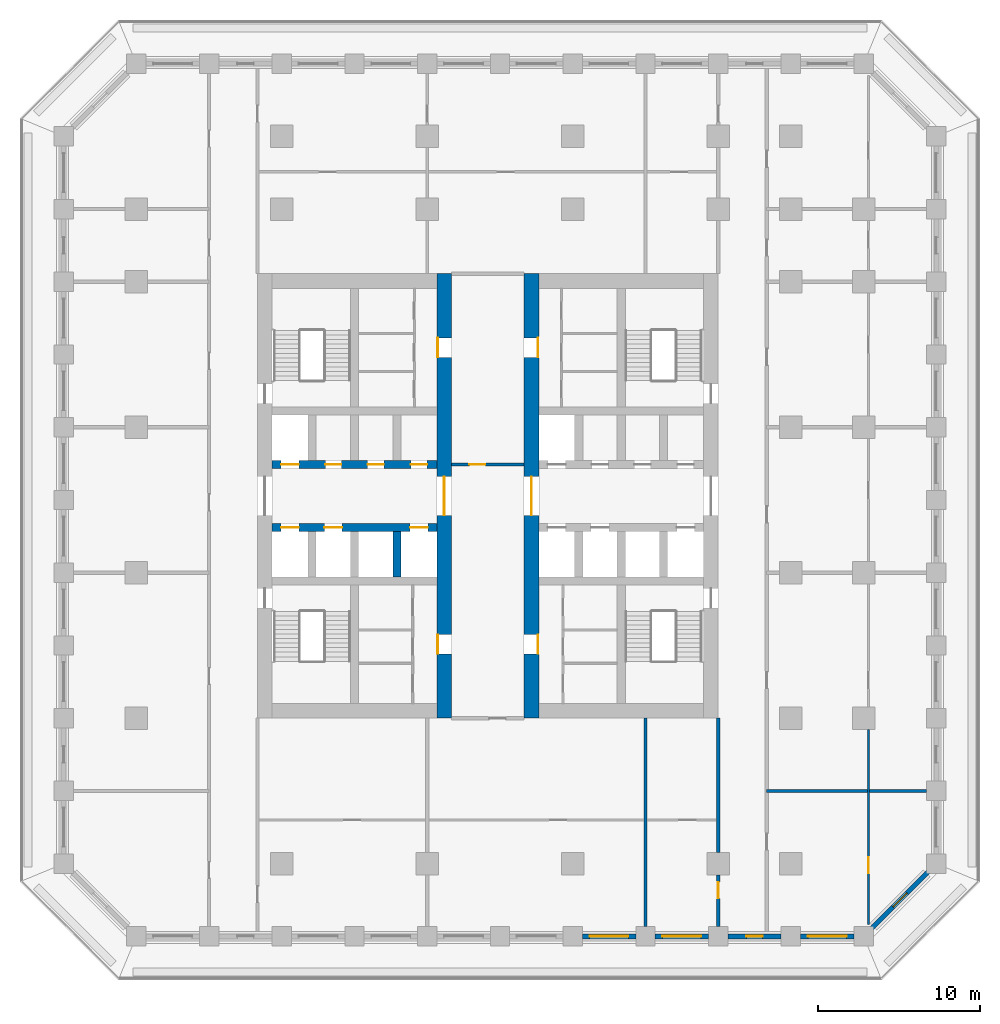
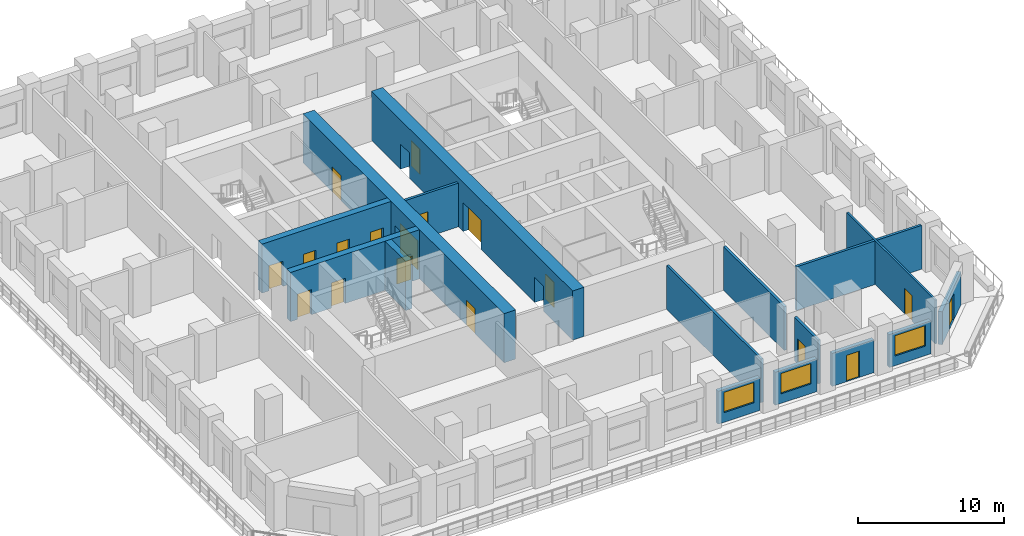
# One storey, part 4 of 17: 18 doors, 16 walls, 3 windows, 21 openings.
"""IFC4 building model written with IfcOpenShell, lengths in metres."""

from ifc_helpers import new_model, si_unit, direction, frame, frame_2d, origin, place, context, subcontext, project, spatial, rectangle, extrude, material, layer, layer_set, type_object, element, fill, save


model = new_model("IFC4")

# Units and contexts
model_context = context("Model", 3, precision=1e-05, world=origin(), true_north=direction((0.0, 1.0)))
body_context = subcontext(model_context, "Body", "Model", "MODEL_VIEW")
ifc_project = project(units=[si_unit("LENGTHUNIT", "METRE"), si_unit("AREAUNIT", "SQUARE_METRE"), si_unit("VOLUMEUNIT", "CUBIC_METRE"), si_unit("PLANEANGLEUNIT", "RADIAN"), si_unit("MASSUNIT", "GRAM", prefix="KILO")], contexts=[model_context])

# Site, building, storey
site_placement = place(None, origin())
site = spatial("IfcSite", under=ifc_project, at=site_placement, CompositionType="ELEMENT")
building_placement = place(site_placement, origin())
building = spatial("IfcBuilding", under=site, at=building_placement, Name="Corbel Stack Research Tower", CompositionType="ELEMENT")
storey_placement = place(building_placement, frame((0.0, 0.0, 86.10009765625)))
storey = spatial("IfcBuildingStorey", under=building, at=storey_placement, Name="L19", CompositionType="ELEMENT", Elevation=86.10009765625)

# Wall, openings, doors
ifc_material_1 = material(Name="Concrete C70/85", Category="concrete")
ifc_layer_1 = layer(ifc_material_1, 0.5)
ifc_layer_set_1 = layer_set([ifc_layer_1], Name="Concrete C70/85")
wall_type_1 = type_object("IfcWallType", Name="CW-500-70", PredefinedType="SHEAR", material=ifc_layer_set_1)
wall_1_placement = place(storey_placement, frame((-9.60009765625, 2.800048828125, 0.0), z_axis=(0.0, 0.0, 1.0), x_axis=(1.0, 0.0, 0.0)))
wall_1 = element("IfcWall", 1, at=wall_1_placement, inside=storey, type_object=wall_type_1, Name="West core wall, lobby south L19", PredefinedType="SHEAR", context=body_context, shape_type="SweptSolid", body=[
    extrude(rectangle(XDim=10.2001953125, YDim=0.5, at=frame_2d((5.10009765625, 0.0))), origin(), (0.0, 0.0, 1.0), 4.099853515625),
])
opening_1_placement = place(wall_1_placement, frame((0.5625, 0.0, 0.0)))
opening_1 = element("IfcOpeningElement", 2, at=opening_1_placement, cuts=wall_1, Name="Opening LD-FS1", PredefinedType="OPENING", context=body_context, shape_type="SweptSolid", body=[
    extrude(rectangle(XDim=1.10009765625, YDim=2.10009765625, at=frame_2d((0.550048828125, 1.050048828125))), frame((0.0, 0.260009765625, 0.0), z_axis=(0.0, -1.0, 0.0), x_axis=(1.0, 0.0, 0.0)), (0.0, 0.0, 1.0), 0.52001953125),
])
opening_2_placement = place(wall_1_placement, frame((3.237548828125, 0.0, 0.0)))
opening_2 = element("IfcOpeningElement", 3, at=opening_2_placement, cuts=wall_1, Name="Opening LD-GL1", PredefinedType="OPENING", context=body_context, shape_type="SweptSolid", body=[
    extrude(rectangle(XDim=1.10009765625, YDim=2.10009765625, at=frame_2d((0.550048828125, 1.050048828125))), frame((0.0, 0.260009765625, 0.0), z_axis=(0.0, -1.0, 0.0), x_axis=(1.0, 0.0, 0.0)), (0.0, 0.0, 1.0), 0.52001953125),
])
opening_3_placement = place(wall_1_placement, frame((8.53759765625, 0.0, 0.0)))
opening_3 = element("IfcOpeningElement", 4, at=opening_3_placement, cuts=wall_1, Name="Opening LD-LR1", PredefinedType="OPENING", context=body_context, shape_type="SweptSolid", body=[
    extrude(rectangle(XDim=1.10009765625, YDim=2.10009765625, at=frame_2d((0.550048828125, 1.050048828125))), frame((0.0, 0.260009765625, 0.0), z_axis=(0.0, -1.0, 0.0), x_axis=(1.0, 0.0, 0.0)), (0.0, 0.0, 1.0), 0.52001953125),
])
ifc_material_2 = material(Name="Stainless steel landing door", Category="steel")
door_type_1 = type_object("IfcDoorType", Name="Lift landing door 1100 x 2100", OperationType="DOUBLE_DOOR_SLIDING", PredefinedType="DOOR", material=ifc_material_2)
door_1_placement = place(opening_1_placement, origin())
door_1 = element("IfcDoor", 5, at=door_1_placement, inside=storey, type_object=door_type_1, Name="Landing door FS1", OperationType="DOUBLE_DOOR_SLIDING", OverallHeight=2.10009765625, OverallWidth=1.10009765625, PredefinedType="DOOR", context=body_context, shape_type="SweptSolid", body=[
    extrude(rectangle(XDim=1.10009765625, YDim=2.10009765625, at=frame_2d((0.550048828125, 1.050048828125))), frame((0.0, 0.02490234375, 0.0), z_axis=(0.0, -1.0, 0.0), x_axis=(1.0, 0.0, 0.0)), (0.0, 0.0, 1.0), 0.050048828125),
])
fill(opening_1, door_1)
door_2_placement = place(opening_2_placement, origin())
door_2 = element("IfcDoor", 6, at=door_2_placement, inside=storey, type_object=door_type_1, Name="Landing door GL1", OperationType="DOUBLE_DOOR_SLIDING", OverallHeight=2.10009765625, OverallWidth=1.10009765625, PredefinedType="DOOR", context=body_context, shape_type="SweptSolid", body=[
    extrude(rectangle(XDim=1.10009765625, YDim=2.10009765625, at=frame_2d((0.550048828125, 1.050048828125))), frame((0.0, 0.02490234375, 0.0), z_axis=(0.0, -1.0, 0.0), x_axis=(1.0, 0.0, 0.0)), (0.0, 0.0, 1.0), 0.050048828125),
])
fill(opening_2, door_2)
door_3_placement = place(opening_3_placement, origin())
door_3 = element("IfcDoor", 7, at=door_3_placement, inside=storey, type_object=door_type_1, Name="Landing door LR1", OperationType="DOUBLE_DOOR_SLIDING", OverallHeight=2.10009765625, OverallWidth=1.10009765625, PredefinedType="DOOR", context=body_context, shape_type="SweptSolid", body=[
    extrude(rectangle(XDim=1.10009765625, YDim=2.10009765625, at=frame_2d((0.550048828125, 1.050048828125))), frame((0.0, 0.02490234375, 0.0), z_axis=(0.0, -1.0, 0.0), x_axis=(1.0, 0.0, 0.0)), (0.0, 0.0, 1.0), 0.050048828125),
])
fill(opening_3, door_3)

wall_2_placement = place(storey_placement, frame((-9.60009765625, 6.699951171875, 0.0), z_axis=(0.0, 0.0, 1.0), x_axis=(1.0, 0.0, 0.0)))
wall_2 = element("IfcWall", 8, at=wall_2_placement, inside=storey, type_object=wall_type_1, Name="West core wall, lobby north L19", PredefinedType="SHEAR", context=body_context, shape_type="SweptSolid", body=[
    extrude(rectangle(XDim=10.2001953125, YDim=0.5, at=frame_2d((5.10009765625, 0.0))), origin(), (0.0, 0.0, 1.0), 4.099853515625),
])
opening_4_placement = place(wall_2_placement, frame((0.5625, 0.0, 0.0)))
opening_4 = element("IfcOpeningElement", 9, at=opening_4_placement, cuts=wall_2, Name="Opening LD-LR2", PredefinedType="OPENING", context=body_context, shape_type="SweptSolid", body=[
    extrude(rectangle(XDim=1.10009765625, YDim=2.10009765625, at=frame_2d((0.550048828125, 1.050048828125))), frame((0.0, 0.260009765625, 0.0), z_axis=(0.0, -1.0, 0.0), x_axis=(1.0, 0.0, 0.0)), (0.0, 0.0, 1.0), 0.52001953125),
])
opening_5_placement = place(wall_2_placement, frame((3.28759765625, 0.0, 0.0)))
opening_5 = element("IfcOpeningElement", 10, at=opening_5_placement, cuts=wall_2, Name="Opening CR-W12-N2", PredefinedType="OPENING", context=body_context, shape_type="SweptSolid", body=[
    extrude(rectangle(XDim=1.0, YDim=2.10009765625, at=frame_2d((0.5, 1.050048828125))), frame((0.0, 0.260009765625, 0.0), z_axis=(0.0, -1.0, 0.0), x_axis=(1.0, 0.0, 0.0)), (0.0, 0.0, 1.0), 0.52001953125),
])
opening_6_placement = place(wall_2_placement, frame((5.91259765625, 0.0, 0.0)))
opening_6 = element("IfcOpeningElement", 11, at=opening_6_placement, cuts=wall_2, Name="Opening CR-W12-N3", PredefinedType="OPENING", context=body_context, shape_type="SweptSolid", body=[
    extrude(rectangle(XDim=1.0, YDim=2.10009765625, at=frame_2d((0.5, 1.050048828125))), frame((0.0, 0.260009765625, 0.0), z_axis=(0.0, -1.0, 0.0), x_axis=(1.0, 0.0, 0.0)), (0.0, 0.0, 1.0), 0.52001953125),
])
opening_7_placement = place(wall_2_placement, frame((8.58740234375, 0.0, 0.0)))
opening_7 = element("IfcOpeningElement", 12, at=opening_7_placement, cuts=wall_2, Name="Opening CR-W12-N4", PredefinedType="OPENING", context=body_context, shape_type="SweptSolid", body=[
    extrude(rectangle(XDim=1.0, YDim=2.10009765625, at=frame_2d((0.5, 1.050048828125))), frame((0.0, 0.260009765625, 0.0), z_axis=(0.0, -1.0, 0.0), x_axis=(1.0, 0.0, 0.0)), (0.0, 0.0, 1.0), 0.52001953125),
])
door_4_placement = place(opening_4_placement, origin())
door_4 = element("IfcDoor", 13, at=door_4_placement, inside=storey, type_object=door_type_1, Name="Landing door LR2", OperationType="DOUBLE_DOOR_SLIDING", OverallHeight=2.10009765625, OverallWidth=1.10009765625, PredefinedType="DOOR", context=body_context, shape_type="SweptSolid", body=[
    extrude(rectangle(XDim=1.10009765625, YDim=2.10009765625, at=frame_2d((0.550048828125, 1.050048828125))), frame((0.0, 0.02490234375, 0.0), z_axis=(0.0, -1.0, 0.0), x_axis=(1.0, 0.0, 0.0)), (0.0, 0.0, 1.0), 0.050048828125),
])
fill(opening_4, door_4)
ifc_material_3 = material(Name="Painted steel door", Category="steel")
door_type_2 = type_object("IfcDoorType", Name="Service door 1000 x 2100 FD60 left hand", OperationType="SINGLE_SWING_LEFT", PredefinedType="DOOR", material=ifc_material_3)
door_5_placement = place(opening_6_placement, origin())
door_5 = element("IfcDoor", 14, at=door_5_placement, inside=storey, type_object=door_type_2, Name="Records store door W core", OperationType="SINGLE_SWING_LEFT", OverallHeight=2.10009765625, OverallWidth=1.0, PredefinedType="DOOR", context=body_context, shape_type="SweptSolid", body=[
    extrude(rectangle(XDim=1.0, YDim=2.10009765625, at=frame_2d((0.5, 1.050048828125))), frame((0.0, 0.02490234375, 0.0), z_axis=(0.0, -1.0, 0.0), x_axis=(1.0, 0.0, 0.0)), (0.0, 0.0, 1.0), 0.050048828125),
])
fill(opening_6, door_5)
ifc_material_4 = material(Name="Painted steel door", Category="steel")
door_type_3 = type_object("IfcDoorType", Name="Service door 1000 x 2100 FD60 right hand", OperationType="SINGLE_SWING_RIGHT", PredefinedType="DOOR", material=ifc_material_4)
door_6_placement = place(opening_5_placement, origin())
door_6 = element("IfcDoor", 15, at=door_6_placement, inside=storey, type_object=door_type_3, Name="Copy and supply store door W core", OperationType="SINGLE_SWING_RIGHT", OverallHeight=2.10009765625, OverallWidth=1.0, PredefinedType="DOOR", context=body_context, shape_type="SweptSolid", body=[
    extrude(rectangle(XDim=1.0, YDim=2.10009765625, at=frame_2d((0.5, 1.050048828125))), frame((0.0, 0.02490234375, 0.0), z_axis=(0.0, -1.0, 0.0), x_axis=(1.0, 0.0, 0.0)), (0.0, 0.0, 1.0), 0.050048828125),
])
fill(opening_5, door_6)
door_7_placement = place(opening_7_placement, origin())
door_7 = element("IfcDoor", 16, at=door_7_placement, inside=storey, type_object=door_type_3, Name="Electrical room door W core", OperationType="SINGLE_SWING_RIGHT", OverallHeight=2.10009765625, OverallWidth=1.0, PredefinedType="DOOR", context=body_context, shape_type="SweptSolid", body=[
    extrude(rectangle(XDim=1.0, YDim=2.10009765625, at=frame_2d((0.5, 1.050048828125))), frame((0.0, 0.02490234375, 0.0), z_axis=(0.0, -1.0, 0.0), x_axis=(1.0, 0.0, 0.0)), (0.0, 0.0, 1.0), 0.050048828125),
])
fill(opening_7, door_7)

# Wall
wall_3_placement = place(storey_placement, frame((-1.875, -0.25, 0.0), z_axis=(0.0, 0.0, 1.0), x_axis=(0.0, 1.0, 0.0)))
element("IfcWall", 17, at=wall_3_placement, inside=storey, type_object=wall_type_1, Name="West core wall, south shaft 3 L19", PredefinedType="SHEAR", context=body_context, shape_type="SweptSolid", body=[
    extrude(rectangle(XDim=2.800048828125, YDim=0.5, at=frame_2d((1.39990234375, 0.0))), origin(), (0.0, 0.0, 1.0), 4.099853515625),
])

# Wall, openings, doors
ifc_material_5 = material(Name="Concrete C70/85", Category="concrete")
ifc_layer_2 = layer(ifc_material_5, 0.89990234375)
ifc_layer_set_2 = layer_set([ifc_layer_2], Name="Concrete C70/85")
wall_type_2 = type_object("IfcWallType", Name="CW-900-70", PredefinedType="SHEAR", material=ifc_layer_set_2)
wall_4_placement = place(storey_placement, frame((1.050048828125, -9.0, 0.0), z_axis=(0.0, 0.0, 1.0), x_axis=(0.0, 1.0, 0.0)))
wall_4 = element("IfcWall", 18, at=wall_4_placement, inside=storey, type_object=wall_type_2, Name="West core wall, east face L19", PredefinedType="SHEAR", context=body_context, shape_type="SweptSolid", body=[
    extrude(rectangle(XDim=27.5, YDim=0.89990234375, at=frame_2d((13.75, 0.0))), origin(), (0.0, 0.0, 1.0), 4.099853515625),
])
opening_8_placement = place(wall_4_placement, frame((12.550048828125, 0.0, 0.0)))
opening_8 = element("IfcOpeningElement", 19, at=opening_8_placement, cuts=wall_4, Name="Opening CD-W-E", PredefinedType="OPENING", context=body_context, shape_type="SweptSolid", body=[
    extrude(rectangle(XDim=2.39990234375, YDim=2.39990234375, at=frame_2d((1.199951171875, 1.199951171875))), frame((0.0, 0.4599609375, 0.0), z_axis=(0.0, -1.0, 0.0), x_axis=(1.0, 0.0, 0.0)), (0.0, 0.0, 1.0), 0.919921875),
])
opening_9_placement = place(wall_4_placement, frame((3.97509765625, 0.0, 0.0)))
opening_9 = element("IfcOpeningElement", 20, at=opening_9_placement, cuts=wall_4, Name="Opening CR-W12-W1-1200", PredefinedType="OPENING", context=body_context, shape_type="SweptSolid", body=[
    extrude(rectangle(XDim=1.199951171875, YDim=2.10009765625, at=frame_2d((0.60009765625, 1.050048828125))), frame((0.0, 0.4599609375, 0.0), z_axis=(0.0, -1.0, 0.0), x_axis=(1.0, 0.0, 0.0)), (0.0, 0.0, 1.0), 0.919921875),
])
opening_10_placement = place(wall_4_placement, frame((22.324951171875, 0.0, 0.0)))
opening_10 = element("IfcOpeningElement", 21, at=opening_10_placement, cuts=wall_4, Name="Opening CR-W12-R1-1200", PredefinedType="OPENING", context=body_context, shape_type="SweptSolid", body=[
    extrude(rectangle(XDim=1.199951171875, YDim=2.10009765625, at=frame_2d((0.60009765625, 1.050048828125))), frame((0.0, 0.4599609375, 0.0), z_axis=(0.0, -1.0, 0.0), x_axis=(1.0, 0.0, 0.0)), (0.0, 0.0, 1.0), 0.919921875),
])
ifc_material_6 = material(Name="Painted steel fire door", Category="steel")
door_type_4 = type_object("IfcDoorType", Name="Lobby door pair 2400 x 2400 FD30S", OperationType="DOUBLE_DOOR_DOUBLE_SWING", PredefinedType="DOOR", material=ifc_material_6)
door_8_placement = place(opening_8_placement, origin())
door_8 = element("IfcDoor", 22, at=door_8_placement, inside=storey, type_object=door_type_4, Name="Lift lobby door W core E", OperationType="DOUBLE_DOOR_DOUBLE_SWING", OverallHeight=2.39990234375, OverallWidth=2.39990234375, PredefinedType="DOOR", context=body_context, shape_type="SweptSolid", body=[
    extrude(rectangle(XDim=2.39990234375, YDim=2.39990234375, at=frame_2d((1.199951171875, 1.199951171875))), frame((0.0, 0.02490234375, 0.0), z_axis=(0.0, -1.0, 0.0), x_axis=(1.0, 0.0, 0.0)), (0.0, 0.0, 1.0), 0.050048828125),
])
fill(opening_8, door_8)
ifc_material_7 = material(Name="Painted steel door", Category="steel")
door_type_5 = type_object("IfcDoorType", Name="Service door 1200 x 2100 FD30 left hand", OperationType="SINGLE_SWING_LEFT", PredefinedType="DOOR", material=ifc_material_7)
door_9_placement = place(opening_10_placement, origin())
door_9 = element("IfcDoor", 23, at=door_9_placement, inside=storey, type_object=door_type_5, Name="Service passage door W core", OperationType="SINGLE_SWING_LEFT", OverallHeight=2.10009765625, OverallWidth=1.199951171875, PredefinedType="DOOR", context=body_context, shape_type="SweptSolid", body=[
    extrude(rectangle(XDim=1.199951171875, YDim=2.10009765625, at=frame_2d((0.60009765625, 1.050048828125))), frame((0.0, 0.4248046875, 0.0), z_axis=(0.0, -1.0, 0.0), x_axis=(1.0, 0.0, 0.0)), (0.0, 0.0, 1.0), 0.050048828125),
])
fill(opening_10, door_9)
ifc_material_8 = material(Name="Painted timber door", Category="wood")
door_type_6 = type_object("IfcDoorType", Name="WC door 1200 x 2100 left hand", OperationType="SINGLE_SWING_LEFT", PredefinedType="DOOR", material=ifc_material_8)
door_10_placement = place(opening_9_placement, origin())
door_10 = element("IfcDoor", 24, at=door_10_placement, inside=storey, type_object=door_type_6, Name="WC lobby door W core", OperationType="SINGLE_SWING_LEFT", OverallHeight=2.10009765625, OverallWidth=1.199951171875, PredefinedType="DOOR", context=body_context, shape_type="SweptSolid", body=[
    extrude(rectangle(XDim=1.199951171875, YDim=2.10009765625, at=frame_2d((0.60009765625, 1.050048828125))), frame((0.0, 0.4248046875, 0.0), z_axis=(0.0, -1.0, 0.0), x_axis=(1.0, 0.0, 0.0)), (0.0, 0.0, 1.0), 0.050048828125),
])
fill(opening_9, door_10)

wall_5_placement = place(storey_placement, frame((6.449951171875, -9.0, 0.0), z_axis=(0.0, 0.0, 1.0), x_axis=(0.0, 1.0, 0.0)))
wall_5 = element("IfcWall", 25, at=wall_5_placement, inside=storey, type_object=wall_type_2, Name="East core wall, west face L19", PredefinedType="SHEAR", context=body_context, shape_type="SweptSolid", body=[
    extrude(rectangle(XDim=27.5, YDim=0.89990234375, at=frame_2d((13.75, 0.0))), origin(), (0.0, 0.0, 1.0), 4.099853515625),
])
opening_11_placement = place(wall_5_placement, frame((12.550048828125, 0.0, 0.0)))
opening_11 = element("IfcOpeningElement", 26, at=opening_11_placement, cuts=wall_5, Name="Opening CD-E-W", PredefinedType="OPENING", context=body_context, shape_type="SweptSolid", body=[
    extrude(rectangle(XDim=2.39990234375, YDim=2.39990234375, at=frame_2d((1.199951171875, 1.199951171875))), frame((0.0, 0.4599609375, 0.0), z_axis=(0.0, -1.0, 0.0), x_axis=(1.0, 0.0, 0.0)), (0.0, 0.0, 1.0), 0.919921875),
])
opening_12_placement = place(wall_5_placement, frame((3.97509765625, 0.0, 0.0)))
opening_12 = element("IfcOpeningElement", 27, at=opening_12_placement, cuts=wall_5, Name="Opening CR-E12-W1-1200", PredefinedType="OPENING", context=body_context, shape_type="SweptSolid", body=[
    extrude(rectangle(XDim=1.199951171875, YDim=2.10009765625, at=frame_2d((0.60009765625, 1.050048828125))), frame((0.0, 0.4599609375, 0.0), z_axis=(0.0, -1.0, 0.0), x_axis=(1.0, 0.0, 0.0)), (0.0, 0.0, 1.0), 0.919921875),
])
opening_13_placement = place(wall_5_placement, frame((22.324951171875, 0.0, 0.0)))
opening_13 = element("IfcOpeningElement", 28, at=opening_13_placement, cuts=wall_5, Name="Opening CR-E12-R1-1200", PredefinedType="OPENING", context=body_context, shape_type="SweptSolid", body=[
    extrude(rectangle(XDim=1.199951171875, YDim=2.10009765625, at=frame_2d((0.60009765625, 1.050048828125))), frame((0.0, 0.4599609375, 0.0), z_axis=(0.0, -1.0, 0.0), x_axis=(1.0, 0.0, 0.0)), (0.0, 0.0, 1.0), 0.919921875),
])
door_11_placement = place(opening_11_placement, origin())
door_11 = element("IfcDoor", 29, at=door_11_placement, inside=storey, type_object=door_type_4, Name="Lift lobby door E core W", OperationType="DOUBLE_DOOR_DOUBLE_SWING", OverallHeight=2.39990234375, OverallWidth=2.39990234375, PredefinedType="DOOR", context=body_context, shape_type="SweptSolid", body=[
    extrude(rectangle(XDim=2.39990234375, YDim=2.39990234375, at=frame_2d((1.199951171875, 1.199951171875))), frame((0.0, 0.02490234375, 0.0), z_axis=(0.0, -1.0, 0.0), x_axis=(1.0, 0.0, 0.0)), (0.0, 0.0, 1.0), 0.050048828125),
])
fill(opening_11, door_11)
ifc_material_9 = material(Name="Painted steel door", Category="steel")
door_type_7 = type_object("IfcDoorType", Name="Service door 1200 x 2100 FD30 right hand", OperationType="SINGLE_SWING_RIGHT", PredefinedType="DOOR", material=ifc_material_9)
door_12_placement = place(opening_13_placement, origin())
door_12 = element("IfcDoor", 30, at=door_12_placement, inside=storey, type_object=door_type_7, Name="Service passage door E core", OperationType="SINGLE_SWING_RIGHT", OverallHeight=2.10009765625, OverallWidth=1.199951171875, PredefinedType="DOOR", context=body_context, shape_type="SweptSolid", body=[
    extrude(rectangle(XDim=1.199951171875, YDim=2.10009765625, at=frame_2d((0.60009765625, 1.050048828125))), frame((0.0, -0.375, 0.0), z_axis=(0.0, -1.0, 0.0), x_axis=(1.0, 0.0, 0.0)), (0.0, 0.0, 1.0), 0.050048828125),
])
fill(opening_13, door_12)
ifc_material_10 = material(Name="Painted timber door", Category="wood")
door_type_8 = type_object("IfcDoorType", Name="WC door 1200 x 2100 right hand", OperationType="SINGLE_SWING_RIGHT", PredefinedType="DOOR", material=ifc_material_10)
door_13_placement = place(opening_12_placement, origin())
door_13 = element("IfcDoor", 31, at=door_13_placement, inside=storey, type_object=door_type_8, Name="WC lobby door E core", OperationType="SINGLE_SWING_RIGHT", OverallHeight=2.10009765625, OverallWidth=1.199951171875, PredefinedType="DOOR", context=body_context, shape_type="SweptSolid", body=[
    extrude(rectangle(XDim=1.199951171875, YDim=2.10009765625, at=frame_2d((0.60009765625, 1.050048828125))), frame((0.0, -0.375, 0.0), z_axis=(0.0, -1.0, 0.0), x_axis=(1.0, 0.0, 0.0)), (0.0, 0.0, 1.0), 0.050048828125),
])
fill(opening_12, door_13)

# Wall
ifc_material_11 = material(Name="Fire-rated gypsum board partition on steel studs", Category="steel")
ifc_layer_3 = layer(ifc_material_11, 0.199951171875)
ifc_layer_set_3 = layer_set([ifc_layer_3], Name="Fire-rated gypsum board partition on steel studs")
wall_type_3 = type_object("IfcWallType", Name="Fire-rated partition 200 EI 60", PredefinedType="PARTITIONING", material=ifc_layer_set_3)
wall_6_placement = place(storey_placement, frame((13.5, -21.89990234375, 0.0), z_axis=(0.0, 0.0, 1.0), x_axis=(0.0, 1.0, 0.0)))
element("IfcWall", 32, at=wall_6_placement, inside=storey, type_object=wall_type_3, Name="Partition L19-009", PredefinedType="PARTITIONING", context=body_context, shape_type="SweptSolid", body=[
    extrude(rectangle(XDim=12.89990234375, YDim=0.199951171875, at=frame_2d((6.449951171875, 0.0))), origin(), (0.0, 0.0, 1.0), 3.64990234375),
])

# Wall, opening, door
wall_7_placement = place(storey_placement, frame((18.0, -21.89990234375, 0.0), z_axis=(0.0, 0.0, 1.0), x_axis=(0.0, 1.0, 0.0)))
wall_7 = element("IfcWall", 33, at=wall_7_placement, inside=storey, type_object=wall_type_3, Name="Partition L19-011", PredefinedType="PARTITIONING", context=body_context, shape_type="SweptSolid", body=[
    extrude(rectangle(XDim=3.199951171875, YDim=0.199951171875, at=frame_2d((1.60009765625, 0.0))), origin(), (0.0, 0.0, 1.0), 3.64990234375),
])
opening_14_placement = place(wall_7_placement, frame((1.75, 0.0, 0.0)))
opening_14 = element("IfcOpeningElement", 34, at=opening_14_placement, cuts=wall_7, Name="Opening B3V1-015", PredefinedType="OPENING", context=body_context, shape_type="SweptSolid", body=[
    extrude(rectangle(XDim=1.0, YDim=2.10009765625, at=frame_2d((0.5, 1.050048828125))), frame((0.0, 0.10986328125, 0.0), z_axis=(0.0, -1.0, 0.0), x_axis=(1.0, 0.0, 0.0)), (0.0, 0.0, 1.0), 0.219970703125),
])
ifc_material_12 = material(Name="Painted steel fire door", Category="steel")
door_type_9 = type_object("IfcDoorType", Name="Fire door FD30S 1000 x 2100", OperationType="NOTDEFINED", PredefinedType="DOOR", material=ifc_material_12)
door_14_placement = place(opening_14_placement, origin())
door_14 = element("IfcDoor", 35, at=door_14_placement, inside=storey, type_object=door_type_9, Name="Door B3V1-015", OperationType="SINGLE_SWING_RIGHT", OverallHeight=2.10009765625, OverallWidth=1.0, PredefinedType="DOOR", context=body_context, shape_type="SweptSolid", body=[
    extrude(rectangle(XDim=1.0, YDim=2.10009765625, at=frame_2d((0.5, 1.050048828125))), frame((0.0, 0.02490234375, 0.0), z_axis=(0.0, -1.0, 0.0), x_axis=(1.0, 0.0, 0.0)), (0.0, 0.0, 1.0), 0.050048828125),
])
fill(opening_14, door_14)

# Walls
wall_8_placement = place(storey_placement, frame((18.0, -17.300048828125, 0.0), z_axis=(0.0, 0.0, 1.0), x_axis=(0.0, 1.0, 0.0)))
element("IfcWall", 36, at=wall_8_placement, inside=storey, type_object=wall_type_3, Name="Partition L19-012", PredefinedType="PARTITIONING", context=body_context, shape_type="SweptSolid", body=[
    extrude(rectangle(XDim=8.300048828125, YDim=0.199951171875, at=frame_2d((4.14990234375, 0.0))), origin(), (0.0, 0.0, 1.0), 3.64990234375),
])
wall_9_placement = place(storey_placement, frame((21.0, -13.5, 0.0), z_axis=(0.0, 0.0, 1.0), x_axis=(1.0, 0.0, 0.0)))
element("IfcWall", 37, at=wall_9_placement, inside=storey, type_object=wall_type_3, Name="Partition L19-025", PredefinedType="PARTITIONING", context=body_context, shape_type="SweptSolid", body=[
    extrude(rectangle(XDim=9.89990234375, YDim=0.199951171875, at=frame_2d((4.949951171875, 0.0))), origin(), (0.0, 0.0, 1.0), 3.64990234375),
])

# Wall, opening, door
wall_10_placement = place(storey_placement, frame((1.5, 6.699951171875, 0.0), z_axis=(0.0, 0.0, 1.0), x_axis=(1.0, 0.0, 0.0)))
wall_10 = element("IfcWall", 38, at=wall_10_placement, inside=storey, type_object=wall_type_3, Name="Partition L19-032", PredefinedType="PARTITIONING", context=body_context, shape_type="SweptSolid", body=[
    extrude(rectangle(XDim=4.5, YDim=0.199951171875, at=frame_2d((2.25, 0.0))), origin(), (0.0, 0.0, 1.0), 3.64990234375),
])
opening_15_placement = place(wall_10_placement, frame((1.10009765625, 0.0, 0.0)))
opening_15 = element("IfcOpeningElement", 39, at=opening_15_placement, cuts=wall_10, Name="Opening B3V1-014", PredefinedType="OPENING", context=body_context, shape_type="SweptSolid", body=[
    extrude(rectangle(XDim=1.0, YDim=2.10009765625, at=frame_2d((0.5, 1.050048828125))), frame((0.0, 0.10986328125, 0.0), z_axis=(0.0, -1.0, 0.0), x_axis=(1.0, 0.0, 0.0)), (0.0, 0.0, 1.0), 0.219970703125),
])
door_15_placement = place(opening_15_placement, origin())
door_15 = element("IfcDoor", 40, at=door_15_placement, inside=storey, type_object=door_type_9, Name="Door B3V1-014", OperationType="SINGLE_SWING_LEFT", OverallHeight=2.10009765625, OverallWidth=1.0, PredefinedType="DOOR", context=body_context, shape_type="SweptSolid", body=[
    extrude(rectangle(XDim=1.0, YDim=2.10009765625, at=frame_2d((0.5, 1.050048828125))), frame((0.0, 0.02490234375, 0.0), z_axis=(0.0, -1.0, 0.0), x_axis=(1.0, 0.0, 0.0)), (0.0, 0.0, 1.0), 0.050048828125),
])
fill(opening_15, door_15)

ifc_material_13 = material(Name="Gypsum board partition on steel studs", Category="steel")
ifc_layer_4 = layer(ifc_material_13, 0.14990234375)
ifc_layer_set_4 = layer_set([ifc_layer_4], Name="Gypsum board partition on steel studs")
wall_type_4 = type_object("IfcWallType", Name="Partition 150", PredefinedType="PARTITIONING", material=ifc_layer_set_4)
wall_11_placement = place(storey_placement, frame((27.300048828125, -9.699951171875, 0.0), z_axis=(0.0, 0.0, 1.0), x_axis=(0.0, -1.0, 0.0)))
wall_11 = element("IfcWall", 41, at=wall_11_placement, inside=storey, type_object=wall_type_4, Name="Partition L19-017", PredefinedType="PARTITIONING", context=body_context, shape_type="SweptSolid", body=[
    extrude(rectangle(XDim=12.0771484375, YDim=0.14990234375, at=frame_2d((6.03857421875, 0.0))), origin(), (0.0, 0.0, 1.0), 3.64990234375),
])
opening_16_placement = place(wall_11_placement, frame((7.89990234375, 0.0, 0.0)))
opening_16 = element("IfcOpeningElement", 42, at=opening_16_placement, cuts=wall_11, Name="Opening B3V1-026", PredefinedType="OPENING", context=body_context, shape_type="SweptSolid", body=[
    extrude(rectangle(XDim=1.0, YDim=2.10009765625, at=frame_2d((0.5, 1.050048828125))), frame((0.0, 0.0849609375, 0.0), z_axis=(0.0, -1.0, 0.0), x_axis=(1.0, 0.0, 0.0)), (0.0, 0.0, 1.0), 0.169921875),
])
ifc_material_14 = material(Name="Painted timber door", Category="wood")
door_type_10 = type_object("IfcDoorType", Name="Single door 1000 x 2100", OperationType="NOTDEFINED", PredefinedType="DOOR", material=ifc_material_14)
door_16_placement = place(opening_16_placement, origin())
door_16 = element("IfcDoor", 43, at=door_16_placement, inside=storey, type_object=door_type_10, Name="Door B3V1-026", OperationType="SINGLE_SWING_RIGHT", OverallHeight=2.10009765625, OverallWidth=1.0, PredefinedType="DOOR", context=body_context, shape_type="SweptSolid", body=[
    extrude(rectangle(XDim=1.0, YDim=2.10009765625, at=frame_2d((0.5, 1.050048828125))), frame((0.0, 0.02490234375, 0.0), z_axis=(0.0, -1.0, 0.0), x_axis=(1.0, 0.0, 0.0)), (0.0, 0.0, 1.0), 0.050048828125),
])
fill(opening_16, door_16)

# Wall, opening, window
ifc_material_15 = material(Name="Concrete C45/55", Category="concrete")
ifc_layer_5 = layer(ifc_material_15, 0.300048828125)
ifc_layer_set_5 = layer_set([ifc_layer_5], Name="Concrete C45/55")
wall_type_5 = type_object("IfcWallType", Name="Terracotta-faced concrete wall 300", PredefinedType="SOLIDWALL", material=ifc_layer_set_5)
wall_12_placement = place(storey_placement, frame((12.89990234375, -22.5, 0.0), z_axis=(0.0, 0.0, 1.0), x_axis=(-1.0, 0.0, 0.0)))
wall_12 = element("IfcWall", 44, at=wall_12_placement, inside=storey, type_object=wall_type_5, Name="Facade wall L19 S07", PredefinedType="SOLIDWALL", context=body_context, shape_type="SweptSolid", body=[
    extrude(rectangle(XDim=3.2998046875, YDim=0.300048828125, at=frame_2d((1.64990234375, 0.0))), origin(), (0.0, 0.0, 1.0), 2.75),
])
opening_17_placement = place(wall_12_placement, frame((0.449951171875, 0.0, 0.800048828125)))
opening_17 = element("IfcOpeningElement", 45, at=opening_17_placement, cuts=wall_12, Name="Opening W1", PredefinedType="OPENING", context=body_context, shape_type="SweptSolid", body=[
    extrude(rectangle(XDim=2.39990234375, YDim=1.699951171875, at=frame_2d((1.199951171875, 0.85009765625))), frame((0.0, 0.159912109375, 0.0), z_axis=(0.0, -1.0, 0.0), x_axis=(1.0, 0.0, 0.0)), (0.0, 0.0, 1.0), 0.320068359375),
])
ifc_material_16 = material(Name="Aluminium frame, clear double glazing", Category="aluminium")
window_type = type_object("IfcWindowType", Name="Window W1 2400 x 1700", PartitioningType="SINGLE_PANEL", PredefinedType="WINDOW", material=ifc_material_16)
window_1_placement = place(opening_17_placement, origin())
window_1 = element("IfcWindow", 46, at=window_1_placement, inside=storey, type_object=window_type, Name="Window W1 L19 S07", OverallHeight=1.699951171875, OverallWidth=2.39990234375, PartitioningType="SINGLE_PANEL", PredefinedType="WINDOW", context=body_context, shape_type="SweptSolid", body=[
    extrude(rectangle(XDim=2.39990234375, YDim=1.699951171875, at=frame_2d((1.199951171875, 0.85009765625))), frame((0.0, 0.030029296875, 0.0), z_axis=(0.0, -1.0, 0.0), x_axis=(1.0, 0.0, 0.0)), (0.0, 0.0, 1.0), 0.06005859375),
])
fill(opening_17, window_1)

wall_13_placement = place(storey_placement, frame((17.39990234375, -22.5, 0.0), z_axis=(0.0, 0.0, 1.0), x_axis=(-1.0, 0.0, 0.0)))
wall_13 = element("IfcWall", 47, at=wall_13_placement, inside=storey, type_object=wall_type_5, Name="Facade wall L19 S08", PredefinedType="SOLIDWALL", context=body_context, shape_type="SweptSolid", body=[
    extrude(rectangle(XDim=3.2998046875, YDim=0.300048828125, at=frame_2d((1.64990234375, 0.0))), origin(), (0.0, 0.0, 1.0), 2.75),
])
opening_18_placement = place(wall_13_placement, frame((0.449951171875, 0.0, 0.800048828125)))
opening_18 = element("IfcOpeningElement", 48, at=opening_18_placement, cuts=wall_13, Name="Opening W1", PredefinedType="OPENING", context=body_context, shape_type="SweptSolid", body=[
    extrude(rectangle(XDim=2.39990234375, YDim=1.699951171875, at=frame_2d((1.199951171875, 0.85009765625))), frame((0.0, 0.159912109375, 0.0), z_axis=(0.0, -1.0, 0.0), x_axis=(1.0, 0.0, 0.0)), (0.0, 0.0, 1.0), 0.320068359375),
])
window_2_placement = place(opening_18_placement, origin())
window_2 = element("IfcWindow", 49, at=window_2_placement, inside=storey, type_object=window_type, Name="Window W1 L19 S08", OverallHeight=1.699951171875, OverallWidth=2.39990234375, PartitioningType="SINGLE_PANEL", PredefinedType="WINDOW", context=body_context, shape_type="SweptSolid", body=[
    extrude(rectangle(XDim=2.39990234375, YDim=1.699951171875, at=frame_2d((1.199951171875, 0.85009765625))), frame((0.0, 0.030029296875, 0.0), z_axis=(0.0, -1.0, 0.0), x_axis=(1.0, 0.0, 0.0)), (0.0, 0.0, 1.0), 0.06005859375),
])
fill(opening_18, window_2)

# Wall, opening, door
wall_14_placement = place(storey_placement, frame((21.89990234375, -22.5, 0.0), z_axis=(0.0, 0.0, 1.0), x_axis=(-1.0, 0.0, 0.0)))
wall_14 = element("IfcWall", 50, at=wall_14_placement, inside=storey, type_object=wall_type_5, Name="Facade wall L19 S09", PredefinedType="SOLIDWALL", context=body_context, shape_type="SweptSolid", body=[
    extrude(rectangle(XDim=3.2998046875, YDim=0.300048828125, at=frame_2d((1.64990234375, 0.0))), origin(), (0.0, 0.0, 1.0), 2.75),
])
opening_19_placement = place(wall_14_placement, frame((1.14990234375, 0.0, 0.0)))
opening_19 = element("IfcOpeningElement", 51, at=opening_19_placement, cuts=wall_14, Name="Opening L19-B02", PredefinedType="OPENING", context=body_context, shape_type="SweptSolid", body=[
    extrude(rectangle(XDim=1.0, YDim=2.199951171875, at=frame_2d((0.5, 1.10009765625))), frame((0.0, 0.159912109375, 0.0), z_axis=(0.0, -1.0, 0.0), x_axis=(1.0, 0.0, 0.0)), (0.0, 0.0, 1.0), 0.320068359375),
])
ifc_material_17 = material(Name="Aluminium frame, clear double glazing", Category="aluminium")
door_type_11 = type_object("IfcDoorType", Name="Balcony door BD1 1000 x 2200", OperationType="NOTDEFINED", PredefinedType="DOOR", material=ifc_material_17)
door_17_placement = place(opening_19_placement, origin())
door_17 = element("IfcDoor", 52, at=door_17_placement, inside=storey, type_object=door_type_11, Name="Balcony door L19-B02", OperationType="SINGLE_SWING_RIGHT", OverallHeight=2.199951171875, OverallWidth=1.0, PredefinedType="DOOR", context=body_context, shape_type="SweptSolid", body=[
    extrude(rectangle(XDim=1.0, YDim=2.199951171875, at=frame_2d((0.5, 1.10009765625))), frame((0.0, 0.02490234375, 0.0), z_axis=(0.0, -1.0, 0.0), x_axis=(1.0, 0.0, 0.0)), (0.0, 0.0, 1.0), 0.050048828125),
])
fill(opening_19, door_17)

# Wall, opening, window
wall_15_placement = place(storey_placement, frame((26.39990234375, -22.5, 0.0), z_axis=(0.0, 0.0, 1.0), x_axis=(-1.0, 0.0, 0.0)))
wall_15 = element("IfcWall", 53, at=wall_15_placement, inside=storey, type_object=wall_type_5, Name="Facade wall L19 S10", PredefinedType="SOLIDWALL", context=body_context, shape_type="SweptSolid", body=[
    extrude(rectangle(XDim=3.2998046875, YDim=0.300048828125, at=frame_2d((1.64990234375, 0.0))), origin(), (0.0, 0.0, 1.0), 2.75),
])
opening_20_placement = place(wall_15_placement, frame((0.449951171875, 0.0, 0.800048828125)))
opening_20 = element("IfcOpeningElement", 54, at=opening_20_placement, cuts=wall_15, Name="Opening W1", PredefinedType="OPENING", context=body_context, shape_type="SweptSolid", body=[
    extrude(rectangle(XDim=2.39990234375, YDim=1.699951171875, at=frame_2d((1.199951171875, 0.85009765625))), frame((0.0, 0.159912109375, 0.0), z_axis=(0.0, -1.0, 0.0), x_axis=(1.0, 0.0, 0.0)), (0.0, 0.0, 1.0), 0.320068359375),
])
window_3_placement = place(opening_20_placement, origin())
window_3 = element("IfcWindow", 55, at=window_3_placement, inside=storey, type_object=window_type, Name="Window W1 L19 S10", OverallHeight=1.699951171875, OverallWidth=2.39990234375, PartitioningType="SINGLE_PANEL", PredefinedType="WINDOW", context=body_context, shape_type="SweptSolid", body=[
    extrude(rectangle(XDim=2.39990234375, YDim=1.699951171875, at=frame_2d((1.199951171875, 0.85009765625))), frame((0.0, 0.030029296875, 0.0), z_axis=(0.0, -1.0, 0.0), x_axis=(1.0, 0.0, 0.0)), (0.0, 0.0, 1.0), 0.06005859375),
])
fill(opening_20, window_3)

# Wall, opening, door
wall_16_placement = place(storey_placement, frame((31.006103515625, -18.493896484375, 0.0), z_axis=(0.0, 0.0, 1.0), x_axis=(-0.707106781187, -0.707106781187, 0.0)))
wall_16 = element("IfcWall", 56, at=wall_16_placement, inside=storey, type_object=wall_type_5, Name="Facade wall L19 SE01", PredefinedType="SOLIDWALL", context=body_context, shape_type="SweptSolid", body=[
    extrude(rectangle(XDim=4.967041015625, YDim=0.300048828125, at=frame_2d((2.4833984375, 0.0))), origin(), (0.0, 0.0, 1.0), 2.75),
])
opening_21_placement = place(wall_16_placement, frame((1.883544921875, 0.0, 0.0)))
opening_21 = element("IfcOpeningElement", 57, at=opening_21_placement, cuts=wall_16, Name="Opening L19-B03", PredefinedType="OPENING", context=body_context, shape_type="SweptSolid", body=[
    extrude(rectangle(XDim=1.199951171875, YDim=2.199951171875, at=frame_2d((0.60009765625, 1.10009765625))), frame((0.0, 0.159912109375, 0.0), z_axis=(0.0, -1.0, 0.0), x_axis=(1.0, 0.0, 0.0)), (0.0, 0.0, 1.0), 0.320068359375),
])
ifc_material_18 = material(Name="Aluminium frame, clear double glazing", Category="aluminium")
door_type_12 = type_object("IfcDoorType", Name="Balcony door BD2 1200 x 2200", OperationType="NOTDEFINED", PredefinedType="DOOR", material=ifc_material_18)
door_18_placement = place(opening_21_placement, origin())
door_18 = element("IfcDoor", 58, at=door_18_placement, inside=storey, type_object=door_type_12, Name="Balcony door L19-B03", OperationType="SINGLE_SWING_RIGHT", OverallHeight=2.199951171875, OverallWidth=1.199951171875, PredefinedType="DOOR", context=body_context, shape_type="SweptSolid", body=[
    extrude(rectangle(XDim=1.199951171875, YDim=2.199951171875, at=frame_2d((0.60009765625, 1.10009765625))), frame((0.0, 0.02490234375, 0.0), z_axis=(0.0, -1.0, 0.0), x_axis=(1.0, 0.0, 0.0)), (0.0, 0.0, 1.0), 0.050048828125),
])
fill(opening_21, door_18)

save(model, "model.ifc")
